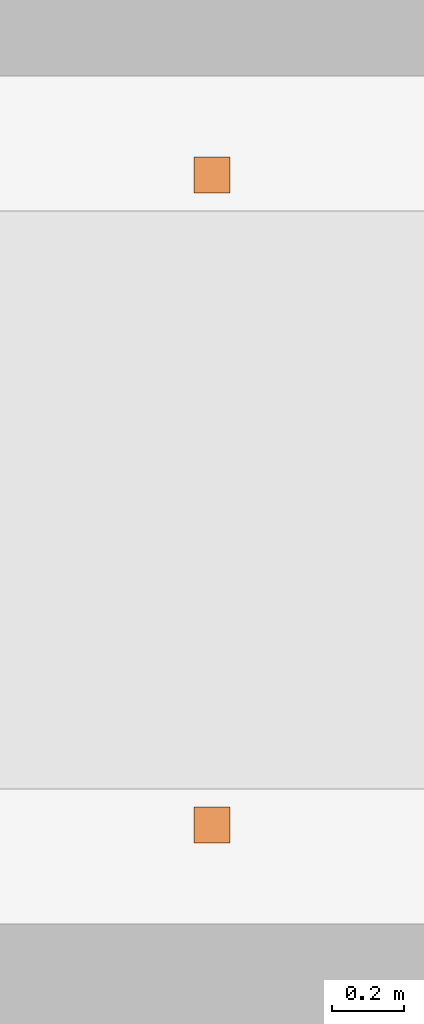
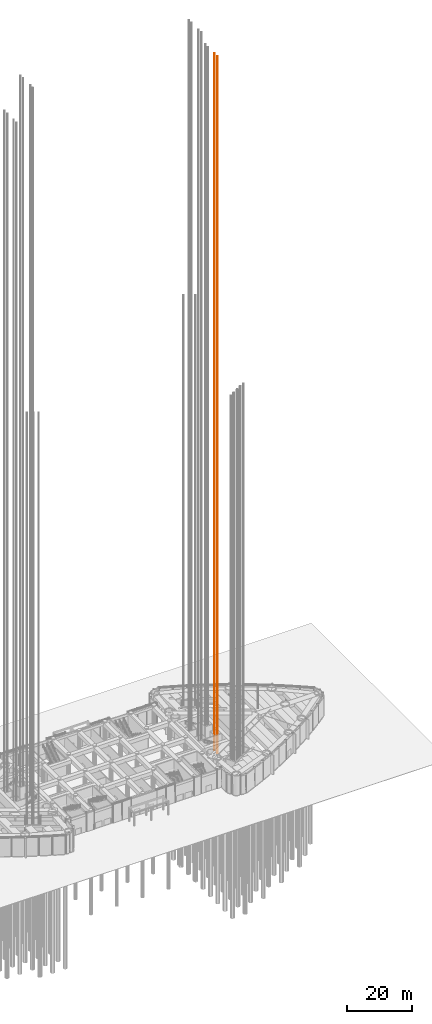
# One storey, part 39 of 43: 1 proxy.
"""IFC4 building model written with IfcOpenShell, lengths in metres."""

from ifc_helpers import new_model, si_unit, direction, frame, origin, origin_2d, place, context, subcontext, project, spatial, rectangle, extrude, material, type_object, element, save


model = new_model("IFC4")

# Units and contexts
model_context = context("Model", 3, precision=1e-05, world=origin(), true_north=direction((0.0, 1.0)))
body_context = subcontext(model_context, "Body", "Model", "MODEL_VIEW")
ifc_project = project(units=[si_unit("LENGTHUNIT", "METRE"), si_unit("AREAUNIT", "SQUARE_METRE"), si_unit("VOLUMEUNIT", "CUBIC_METRE"), si_unit("PLANEANGLEUNIT", "RADIAN"), si_unit("MASSUNIT", "GRAM", prefix="KILO")], contexts=[model_context])

# Site, building, storey
site_placement = place(None, origin())
site = spatial("IfcSite", under=ifc_project, at=site_placement, CompositionType="ELEMENT")
building_placement = place(site_placement, origin())
building = spatial("IfcBuilding", under=site, at=building_placement, Name="Lancet Gate Hotel", CompositionType="ELEMENT")
storey_placement = place(building_placement, origin())
storey = spatial("IfcBuildingStorey", under=building, at=storey_placement, Name="L00", CompositionType="ELEMENT", Elevation=0.0)

# Proxy
ifc_material = material(Name="Steel S355", Category="steel")
building_element_proxy_type = type_object("IfcBuildingElementProxyType", Name="Lift guide rails", PredefinedType="USERDEFINED", material=ifc_material)
proxy_placement = place(storey_placement, frame((35.47509765625, -2.824951171875, 0.0), z_axis=(0.0, 0.0, 1.0), x_axis=(1.0, 0.0, 0.0)))
element("IfcBuildingElementProxy", 1, at=proxy_placement, inside=storey, type_object=building_element_proxy_type, Name="T2-OL3 guide rails", ObjectType="LIFT GUIDE RAILS", PredefinedType="USERDEFINED", context=body_context, shape_type="SweptSolid", body=[
    extrude(rectangle(XDim=0.1, YDim=0.1, at=origin_2d()), frame((0.0, -0.89990234375, 0.0)), (0.0, 0.0, 1.0), 260.300048828125),
    extrude(rectangle(XDim=0.1, YDim=0.1, at=origin_2d()), frame((0.0, 0.89990234375, 0.0)), (0.0, 0.0, 1.0), 260.300048828125),
])

save(model, "model.ifc")
